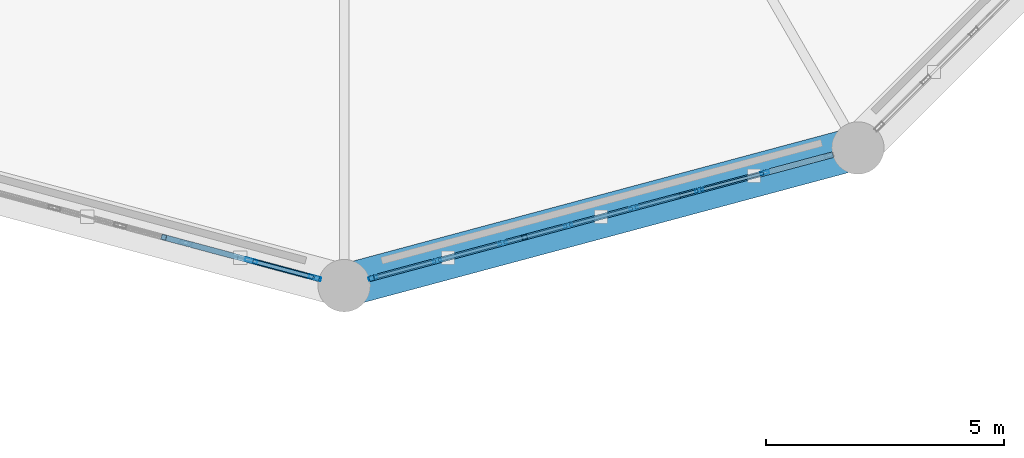
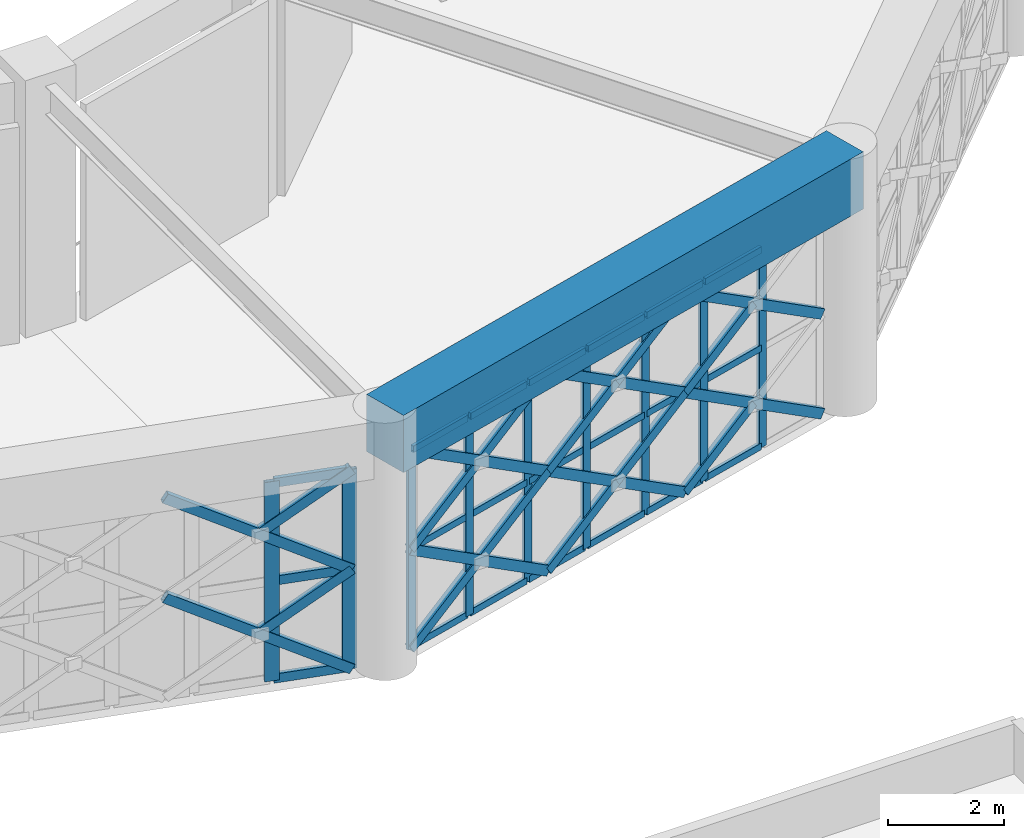
# One storey, part 22 of 72: 50 members, 1 beam, 2 elements without a shape of their own.
"""IFC4 building model written with IfcOpenShell, lengths in metres."""

from ifc_helpers import new_model, si_unit, direction, frame, origin, origin_2d, place, context, subcontext, project, spatial, rectangle, hollow_rectangle, extrude, material, material_profile, profile_set, type_object, element, aggregate, save


model = new_model("IFC4")

# Units and contexts
model_context = context("Model", 3, precision=1e-05, world=origin(), true_north=direction((0.0, 1.0)))
body_context = subcontext(model_context, "Body", "Model", "MODEL_VIEW")
ifc_project = project(units=[si_unit("LENGTHUNIT", "METRE"), si_unit("AREAUNIT", "SQUARE_METRE"), si_unit("VOLUMEUNIT", "CUBIC_METRE"), si_unit("PLANEANGLEUNIT", "RADIAN"), si_unit("MASSUNIT", "GRAM", prefix="KILO")], contexts=[model_context])

# Site, building, storey
site_placement = place(None, origin())
site = spatial("IfcSite", under=ifc_project, at=site_placement, CompositionType="ELEMENT")
building_placement = place(site_placement, origin())
building = spatial("IfcBuilding", under=site, at=building_placement, Name="Haizhuo Lancet Aquarium", CompositionType="ELEMENT")
storey_placement = place(building_placement, frame((0.0, 0.0, 21.60009765625)))
storey = spatial("IfcBuildingStorey", under=building, at=storey_placement, Name="L04", CompositionType="ELEMENT", Elevation=21.60009765625)

# Beam
ifc_material_1 = material(Name="Concrete C50/60", Category="concrete")
ifc_material_profile_1 = material_profile(ifc_material_1, rectangle(XDim=0.89990234375, YDim=1.199951171875, at=origin_2d()), Name="RC-RB 900x1200")
ifc_profile_set_1 = profile_set([ifc_material_profile_1], Name="Concrete C50/60")
beam_type = type_object("IfcBeamType", Name="BM-RB-900x1200", PredefinedType="USERDEFINED", material=ifc_profile_set_1)
beam_placement = place(storey_placement, frame((0.0, -21.60009765625, 4.7998046875), z_axis=(0.965921832664, 0.258833949056, 0.0), x_axis=(-0.258833949056, 0.965921832664, 0.0)))
element("IfcBeam", 1, at=beam_placement, inside=storey, type_object=beam_type, Name="Ocean Hall dome tension ring beam RB-1 seg 10", ObjectType="RING BEAM", PredefinedType="USERDEFINED", context=body_context, shape_type="SweptSolid", body=[
    extrude(rectangle(XDim=0.89990234375, YDim=1.199951171875, at=origin_2d()), origin(), (0.0, 0.0, 1.0), 11.18115234375),
])

# Curtain wall, members
ifc_material_2 = material(Name="Aluminium 6063-T6", Category="aluminium")
curtain_wall_type = type_object("IfcCurtainWallType", Name="CWO-9990x4180", PredefinedType="NOTDEFINED", material=ifc_material_2)
curtain_wall_1_placement = place(storey_placement, origin())
curtain_wall_1 = element("IfcCurtainWall", 2, at=curtain_wall_1_placement, inside=storey, type_object=curtain_wall_type, Name="L04 curtain wall CW-V1-L04-10", PredefinedType="NOTDEFINED")
ifc_material_profile_2 = material_profile(ifc_material_2, hollow_rectangle(XDim=0.06494140625, YDim=0.179931640625, WallThickness=0.00390625, at=origin_2d()), Name="ALU-M 65x180x4")
ifc_profile_set_2 = profile_set([ifc_material_profile_2], Name="Aluminium 6063-T6")
member_type_1 = type_object("IfcMemberType", Name="CW-MUL-1", PredefinedType="MULLION", material=ifc_profile_set_2)
member_1_placement = place(storey_placement, frame((8.845947265625, -19.22900390625, 0.0), z_axis=(0.0, 0.0, 1.0), x_axis=(0.258852762117, -0.965916791212, 0.0)))
member_1 = element("IfcMember", 3, at=member_1_placement, type_object=member_type_1, Name="CWO-99x41 mullion 2", PredefinedType="MULLION", context=body_context, shape_type="SweptSolid", body=[
    extrude(hollow_rectangle(XDim=0.06494140625, YDim=0.179931640625, WallThickness=0.00390625, at=origin_2d()), origin(), (0.0, 0.0, 1.0), 4.184814453125),
])
member_2_placement = place(storey_placement, frame((7.468017578125, -19.59912109375, 0.0), z_axis=(0.0, 0.0, 1.0), x_axis=(0.258852762117, -0.965916791212, 0.0)))
member_2 = element("IfcMember", 4, at=member_2_placement, type_object=member_type_1, Name="CWO-99x41 mullion 3", PredefinedType="MULLION", context=body_context, shape_type="SweptSolid", body=[
    extrude(hollow_rectangle(XDim=0.06494140625, YDim=0.179931640625, WallThickness=0.00390625, at=origin_2d()), origin(), (0.0, 0.0, 1.0), 4.184814453125),
])
member_3_placement = place(storey_placement, frame((6.089111328125, -19.968017578125, 0.0), z_axis=(0.0, 0.0, 1.0), x_axis=(0.258852762117, -0.965916791212, 0.0)))
member_3 = element("IfcMember", 5, at=member_3_placement, type_object=member_type_1, Name="CWO-99x41 mullion 4", PredefinedType="MULLION", context=body_context, shape_type="SweptSolid", body=[
    extrude(hollow_rectangle(XDim=0.06494140625, YDim=0.179931640625, WallThickness=0.00390625, at=origin_2d()), origin(), (0.0, 0.0, 1.0), 4.184814453125),
])
member_4_placement = place(storey_placement, frame((4.7109375, -20.337890625, 0.0), z_axis=(0.0, 0.0, 1.0), x_axis=(0.258852762117, -0.965916791212, 0.0)))
member_4 = element("IfcMember", 6, at=member_4_placement, type_object=member_type_1, Name="CWO-99x41 mullion 5", PredefinedType="MULLION", context=body_context, shape_type="SweptSolid", body=[
    extrude(hollow_rectangle(XDim=0.06494140625, YDim=0.179931640625, WallThickness=0.00390625, at=origin_2d()), origin(), (0.0, 0.0, 1.0), 4.184814453125),
])
member_5_placement = place(storey_placement, frame((3.33203125, -20.70703125, 0.0), z_axis=(0.0, 0.0, 1.0), x_axis=(0.258852762117, -0.965916791212, 0.0)))
member_5 = element("IfcMember", 7, at=member_5_placement, type_object=member_type_1, Name="CWO-99x41 mullion 6", PredefinedType="MULLION", context=body_context, shape_type="SweptSolid", body=[
    extrude(hollow_rectangle(XDim=0.06494140625, YDim=0.179931640625, WallThickness=0.00390625, at=origin_2d()), origin(), (0.0, 0.0, 1.0), 4.184814453125),
])
member_6_placement = place(storey_placement, frame((1.9541015625, -21.076904296875, 0.0), z_axis=(0.0, 0.0, 1.0), x_axis=(0.258852762117, -0.965916791212, 0.0)))
member_6 = element("IfcMember", 8, at=member_6_placement, type_object=member_type_1, Name="CWO-99x41 mullion 7", PredefinedType="MULLION", context=body_context, shape_type="SweptSolid", body=[
    extrude(hollow_rectangle(XDim=0.06494140625, YDim=0.179931640625, WallThickness=0.00390625, at=origin_2d()), origin(), (0.0, 0.0, 1.0), 4.184814453125),
])
member_7_placement = place(storey_placement, frame((0.60595703125, -21.43798828125, 0.0), z_axis=(0.0, 0.0, 1.0), x_axis=(0.258852762117, -0.965916791212, 0.0)))
member_7 = element("IfcMember", 9, at=member_7_placement, type_object=member_type_1, Name="CWO-99x41 mullion 8", PredefinedType="MULLION", context=body_context, shape_type="SweptSolid", body=[
    extrude(hollow_rectangle(XDim=0.06494140625, YDim=0.179931640625, WallThickness=0.00390625, at=origin_2d()), origin(), (0.0, 0.0, 1.0), 4.184814453125),
])

curtain_wall_2_placement = place(storey_placement, origin())
curtain_wall_2 = element("IfcCurtainWall", 10, at=curtain_wall_2_placement, inside=storey, type_object=curtain_wall_type, Name="L04 curtain wall CW-V1-L04-09", PredefinedType="NOTDEFINED")
ifc_material_profile_3 = material_profile(ifc_material_2, hollow_rectangle(XDim=0.080078125, YDim=0.260009765625, WallThickness=0.0048828125, at=origin_2d()), Name="ALU-M 80x260x5")
ifc_profile_set_3 = profile_set([ifc_material_profile_3], Name="Aluminium 6063-T6")
member_type_2 = type_object("IfcMemberType", Name="CW-MUL-3", PredefinedType="MULLION", material=ifc_profile_set_3)
member_8_placement = place(storey_placement, frame((-0.614013671875, -21.43603515625, 0.0), z_axis=(0.0, 0.0, 1.0), x_axis=(-0.258852762117, -0.965916791212, 0.0)))
member_8 = element("IfcMember", 11, at=member_8_placement, type_object=member_type_2, Name="CWO-99x41 mullion 1", PredefinedType="MULLION", context=body_context, shape_type="SweptSolid", body=[
    extrude(hollow_rectangle(XDim=0.080078125, YDim=0.260009765625, WallThickness=0.0048828125, at=origin_2d()), origin(), (0.0, 0.0, 1.0), 4.184814453125),
])
member_9_placement = place(storey_placement, frame((-1.9541015625, -21.076904296875, 0.0), z_axis=(0.0, 0.0, 1.0), x_axis=(-0.258852762117, -0.965916791212, 0.0)))
member_9 = element("IfcMember", 12, at=member_9_placement, type_object=member_type_2, Name="CWO-99x41 mullion 2", PredefinedType="MULLION", context=body_context, shape_type="SweptSolid", body=[
    extrude(hollow_rectangle(XDim=0.080078125, YDim=0.260009765625, WallThickness=0.0048828125, at=origin_2d()), origin(), (0.0, 0.0, 1.0), 4.184814453125),
])

# Member
ifc_material_profile_4 = material_profile(ifc_material_2, hollow_rectangle(XDim=0.06494140625, YDim=0.139892578125, WallThickness=0.00390625, at=origin_2d()), Name="ALU-T 65x140x4")
ifc_profile_set_4 = profile_set([ifc_material_profile_4], Name="Aluminium 6063-T6")
member_type_3 = type_object("IfcMemberType", Name="CW-TRN-1", PredefinedType="NOTDEFINED", material=ifc_profile_set_4)
member_10_placement = place(storey_placement, frame((8.81494140625, -19.238037109375, 0.032958984375), z_axis=(-0.966026395076, -0.258443425176, 0.0), x_axis=(0.258443425176, -0.966026395076, 0.0)))
member_10 = element("IfcMember", 13, at=member_10_placement, type_object=member_type_3, Name="CWO-99x41 transom 2.1", ObjectType="TRANSOM", PredefinedType="USERDEFINED", context=body_context, shape_type="SweptSolid", body=[
    extrude(hollow_rectangle(XDim=0.06494140625, YDim=0.139892578125, WallThickness=0.00390625, at=origin_2d()), origin(), (0.0, 0.0, 1.0), 1.3623046875),
])

member_11_placement = place(storey_placement, frame((8.81494140625, -19.238037109375, 2.093017578125), z_axis=(-0.966026395076, -0.258443425176, 0.0), x_axis=(0.258443425176, -0.966026395076, 0.0)))
member_11 = element("IfcMember", 14, at=member_11_placement, type_object=member_type_3, Name="CWO-99x41 transom 2.2", ObjectType="TRANSOM", PredefinedType="USERDEFINED", context=body_context, shape_type="SweptSolid", body=[
    extrude(hollow_rectangle(XDim=0.06494140625, YDim=0.139892578125, WallThickness=0.00390625, at=origin_2d()), origin(), (0.0, 0.0, 1.0), 1.3623046875),
])

member_12_placement = place(storey_placement, frame((8.81494140625, -19.238037109375, 4.15283203125), z_axis=(-0.966026395076, -0.258443425176, 0.0), x_axis=(0.258443425176, -0.966026395076, 0.0)))
member_12 = element("IfcMember", 15, at=member_12_placement, type_object=member_type_3, Name="CWO-99x41 transom 2.3", ObjectType="TRANSOM", PredefinedType="USERDEFINED", context=body_context, shape_type="SweptSolid", body=[
    extrude(hollow_rectangle(XDim=0.06494140625, YDim=0.139892578125, WallThickness=0.00390625, at=origin_2d()), origin(), (0.0, 0.0, 1.0), 1.3623046875),
])

member_13_placement = place(storey_placement, frame((7.43603515625, -19.60693359375, 0.032958984375), z_axis=(-0.965799039157, -0.259291758378, 0.0), x_axis=(0.259291758378, -0.965799039157, 0.0)))
member_13 = element("IfcMember", 16, at=member_13_placement, type_object=member_type_3, Name="CWO-99x41 transom 3.1", ObjectType="TRANSOM", PredefinedType="USERDEFINED", context=body_context, shape_type="SweptSolid", body=[
    extrude(hollow_rectangle(XDim=0.06494140625, YDim=0.139892578125, WallThickness=0.00390625, at=origin_2d()), origin(), (0.0, 0.0, 1.0), 1.361572265625),
])

member_14_placement = place(storey_placement, frame((7.43603515625, -19.60693359375, 2.093017578125), z_axis=(-0.965799039157, -0.259291758378, 0.0), x_axis=(0.259291758378, -0.965799039157, 0.0)))
member_14 = element("IfcMember", 17, at=member_14_placement, type_object=member_type_3, Name="CWO-99x41 transom 3.2", ObjectType="TRANSOM", PredefinedType="USERDEFINED", context=body_context, shape_type="SweptSolid", body=[
    extrude(hollow_rectangle(XDim=0.06494140625, YDim=0.139892578125, WallThickness=0.00390625, at=origin_2d()), origin(), (0.0, 0.0, 1.0), 1.361572265625),
])

member_15_placement = place(storey_placement, frame((7.43603515625, -19.60693359375, 4.15283203125), z_axis=(-0.965799039157, -0.259291758378, 0.0), x_axis=(0.259291758378, -0.965799039157, 0.0)))
member_15 = element("IfcMember", 18, at=member_15_placement, type_object=member_type_3, Name="CWO-99x41 transom 3.3", ObjectType="TRANSOM", PredefinedType="USERDEFINED", context=body_context, shape_type="SweptSolid", body=[
    extrude(hollow_rectangle(XDim=0.06494140625, YDim=0.139892578125, WallThickness=0.00390625, at=origin_2d()), origin(), (0.0, 0.0, 1.0), 1.361572265625),
])

member_16_placement = place(storey_placement, frame((6.05810546875, -19.97705078125, 0.032958984375), z_axis=(-0.966038362989, -0.258398686594, 0.0), x_axis=(0.258398686594, -0.966038362989, 0.0)))
member_16 = element("IfcMember", 19, at=member_16_placement, type_object=member_type_3, Name="CWO-99x41 transom 4.1", ObjectType="TRANSOM", PredefinedType="USERDEFINED", context=body_context, shape_type="SweptSolid", body=[
    extrude(hollow_rectangle(XDim=0.06494140625, YDim=0.139892578125, WallThickness=0.00390625, at=origin_2d()), origin(), (0.0, 0.0, 1.0), 1.362548828125),
])

member_17_placement = place(storey_placement, frame((6.05810546875, -19.97705078125, 2.093017578125), z_axis=(-0.966038362989, -0.258398686594, 0.0), x_axis=(0.258398686594, -0.966038362989, 0.0)))
member_17 = element("IfcMember", 20, at=member_17_placement, type_object=member_type_3, Name="CWO-99x41 transom 4.2", ObjectType="TRANSOM", PredefinedType="USERDEFINED", context=body_context, shape_type="SweptSolid", body=[
    extrude(hollow_rectangle(XDim=0.06494140625, YDim=0.139892578125, WallThickness=0.00390625, at=origin_2d()), origin(), (0.0, 0.0, 1.0), 1.362548828125),
])

member_18_placement = place(storey_placement, frame((6.05810546875, -19.97705078125, 4.15283203125), z_axis=(-0.966038362989, -0.258398686594, 0.0), x_axis=(0.258398686594, -0.966038362989, 0.0)))
member_18 = element("IfcMember", 21, at=member_18_placement, type_object=member_type_3, Name="CWO-99x41 transom 4.3", ObjectType="TRANSOM", PredefinedType="USERDEFINED", context=body_context, shape_type="SweptSolid", body=[
    extrude(hollow_rectangle(XDim=0.06494140625, YDim=0.139892578125, WallThickness=0.00390625, at=origin_2d()), origin(), (0.0, 0.0, 1.0), 1.362548828125),
])

member_19_placement = place(storey_placement, frame((4.678955078125, -20.345947265625, 0.032958984375), z_axis=(-0.965799039157, -0.259291758378, 0.0), x_axis=(0.259291758378, -0.965799039157, 0.0)))
member_19 = element("IfcMember", 22, at=member_19_placement, type_object=member_type_3, Name="CWO-99x41 transom 5.1", ObjectType="TRANSOM", PredefinedType="USERDEFINED", context=body_context, shape_type="SweptSolid", body=[
    extrude(hollow_rectangle(XDim=0.06494140625, YDim=0.139892578125, WallThickness=0.00390625, at=origin_2d()), origin(), (0.0, 0.0, 1.0), 1.361572265625),
])

member_20_placement = place(storey_placement, frame((4.678955078125, -20.345947265625, 2.093017578125), z_axis=(-0.965799039157, -0.259291758378, 0.0), x_axis=(0.259291758378, -0.965799039157, 0.0)))
member_20 = element("IfcMember", 23, at=member_20_placement, type_object=member_type_3, Name="CWO-99x41 transom 5.2", ObjectType="TRANSOM", PredefinedType="USERDEFINED", context=body_context, shape_type="SweptSolid", body=[
    extrude(hollow_rectangle(XDim=0.06494140625, YDim=0.139892578125, WallThickness=0.00390625, at=origin_2d()), origin(), (0.0, 0.0, 1.0), 1.361572265625),
])

member_21_placement = place(storey_placement, frame((4.678955078125, -20.345947265625, 4.15283203125), z_axis=(-0.965799039157, -0.259291758378, 0.0), x_axis=(0.259291758378, -0.965799039157, 0.0)))
member_21 = element("IfcMember", 24, at=member_21_placement, type_object=member_type_3, Name="CWO-99x41 transom 5.3", ObjectType="TRANSOM", PredefinedType="USERDEFINED", context=body_context, shape_type="SweptSolid", body=[
    extrude(hollow_rectangle(XDim=0.06494140625, YDim=0.139892578125, WallThickness=0.00390625, at=origin_2d()), origin(), (0.0, 0.0, 1.0), 1.361572265625),
])

member_22_placement = place(storey_placement, frame((3.301025390625, -20.716064453125, 0.032958984375), z_axis=(-0.966026395076, -0.258443425176, 0.0), x_axis=(0.258443425176, -0.966026395076, 0.0)))
member_22 = element("IfcMember", 25, at=member_22_placement, type_object=member_type_3, Name="CWO-99x41 transom 6.1", ObjectType="TRANSOM", PredefinedType="USERDEFINED", context=body_context, shape_type="SweptSolid", body=[
    extrude(hollow_rectangle(XDim=0.06494140625, YDim=0.139892578125, WallThickness=0.00390625, at=origin_2d()), origin(), (0.0, 0.0, 1.0), 1.3623046875),
])

member_23_placement = place(storey_placement, frame((3.301025390625, -20.716064453125, 2.093017578125), z_axis=(-0.966026395076, -0.258443425176, 0.0), x_axis=(0.258443425176, -0.966026395076, 0.0)))
member_23 = element("IfcMember", 26, at=member_23_placement, type_object=member_type_3, Name="CWO-99x41 transom 6.2", ObjectType="TRANSOM", PredefinedType="USERDEFINED", context=body_context, shape_type="SweptSolid", body=[
    extrude(hollow_rectangle(XDim=0.06494140625, YDim=0.139892578125, WallThickness=0.00390625, at=origin_2d()), origin(), (0.0, 0.0, 1.0), 1.3623046875),
])

member_24_placement = place(storey_placement, frame((3.301025390625, -20.716064453125, 4.15283203125), z_axis=(-0.966026395076, -0.258443425176, 0.0), x_axis=(0.258443425176, -0.966026395076, 0.0)))
member_24 = element("IfcMember", 27, at=member_24_placement, type_object=member_type_3, Name="CWO-99x41 transom 6.3", ObjectType="TRANSOM", PredefinedType="USERDEFINED", context=body_context, shape_type="SweptSolid", body=[
    extrude(hollow_rectangle(XDim=0.06494140625, YDim=0.139892578125, WallThickness=0.00390625, at=origin_2d()), origin(), (0.0, 0.0, 1.0), 1.3623046875),
])

member_25_placement = place(storey_placement, frame((1.922119140625, -21.0849609375, 0.032958984375), z_axis=(-0.965944773121, -0.258748324207, 0.0), x_axis=(0.258748324207, -0.965944773121, 0.0)))
member_25 = element("IfcMember", 28, at=member_25_placement, type_object=member_type_3, Name="CWO-99x41 transom 7.1", ObjectType="TRANSOM", PredefinedType="USERDEFINED", context=body_context, shape_type="SweptSolid", body=[
    extrude(hollow_rectangle(XDim=0.06494140625, YDim=0.139892578125, WallThickness=0.00390625, at=origin_2d()), origin(), (0.0, 0.0, 1.0), 1.329345703125),
])

member_26_placement = place(storey_placement, frame((1.922119140625, -21.0849609375, 2.093017578125), z_axis=(-0.965944773121, -0.258748324207, 0.0), x_axis=(0.258748324207, -0.965944773121, 0.0)))
member_26 = element("IfcMember", 29, at=member_26_placement, type_object=member_type_3, Name="CWO-99x41 transom 7.2", ObjectType="TRANSOM", PredefinedType="USERDEFINED", context=body_context, shape_type="SweptSolid", body=[
    extrude(hollow_rectangle(XDim=0.06494140625, YDim=0.139892578125, WallThickness=0.00390625, at=origin_2d()), origin(), (0.0, 0.0, 1.0), 1.329345703125),
])

member_27_placement = place(storey_placement, frame((1.922119140625, -21.0849609375, 4.15283203125), z_axis=(-0.965944773121, -0.258748324207, 0.0), x_axis=(0.258748324207, -0.965944773121, 0.0)))
member_27 = element("IfcMember", 30, at=member_27_placement, type_object=member_type_3, Name="CWO-99x41 transom 7.3", ObjectType="TRANSOM", PredefinedType="USERDEFINED", context=body_context, shape_type="SweptSolid", body=[
    extrude(hollow_rectangle(XDim=0.06494140625, YDim=0.139892578125, WallThickness=0.00390625, at=origin_2d()), origin(), (0.0, 0.0, 1.0), 1.329345703125),
])

aggregate(curtain_wall_1, [member_1, member_2, member_3, member_4, member_5, member_6, member_7, member_10, member_11, member_12, member_13, member_14, member_15, member_16, member_17, member_18, member_19, member_20, member_21, member_22, member_23, member_24, member_25, member_26, member_27])

ifc_material_profile_5 = material_profile(ifc_material_2, hollow_rectangle(XDim=0.080078125, YDim=0.18994140625, WallThickness=0.0048828125, at=origin_2d()), Name="ALU-T 80x190x5")
ifc_profile_set_5 = profile_set([ifc_material_profile_5], Name="Aluminium 6063-T6")
member_type_4 = type_object("IfcMemberType", Name="CW-TRN-3", PredefinedType="NOTDEFINED", material=ifc_profile_set_5)
member_28_placement = place(storey_placement, frame((-0.652099609375, -21.425048828125, 0.039794921875), z_axis=(-0.965977213939, 0.258627187571, 0.0), x_axis=(-0.258627187571, -0.965977213939, 0.0)))
member_28 = element("IfcMember", 31, at=member_28_placement, type_object=member_type_4, Name="CWO-99x41 transom 1.1", ObjectType="TRANSOM", PredefinedType="USERDEFINED", context=body_context, shape_type="SweptSolid", body=[
    extrude(hollow_rectangle(XDim=0.080078125, YDim=0.18994140625, WallThickness=0.0048828125, at=origin_2d()), origin(), (0.0, 0.0, 1.0), 1.307373046875),
])

member_29_placement = place(storey_placement, frame((-0.652099609375, -21.425048828125, 2.093017578125), z_axis=(-0.965977213939, 0.258627187571, 0.0), x_axis=(-0.258627187571, -0.965977213939, 0.0)))
member_29 = element("IfcMember", 32, at=member_29_placement, type_object=member_type_4, Name="CWO-99x41 transom 1.2", ObjectType="TRANSOM", PredefinedType="USERDEFINED", context=body_context, shape_type="SweptSolid", body=[
    extrude(hollow_rectangle(XDim=0.080078125, YDim=0.18994140625, WallThickness=0.0048828125, at=origin_2d()), origin(), (0.0, 0.0, 1.0), 1.307373046875),
])

member_30_placement = place(storey_placement, frame((-0.652099609375, -21.425048828125, 4.14501953125), z_axis=(-0.965977213939, 0.258627187571, 0.0), x_axis=(-0.258627187571, -0.965977213939, 0.0)))
member_30 = element("IfcMember", 33, at=member_30_placement, type_object=member_type_4, Name="CWO-99x41 transom 1.3", ObjectType="TRANSOM", PredefinedType="USERDEFINED", context=body_context, shape_type="SweptSolid", body=[
    extrude(hollow_rectangle(XDim=0.080078125, YDim=0.18994140625, WallThickness=0.0048828125, at=origin_2d()), origin(), (0.0, 0.0, 1.0), 1.307373046875),
])

aggregate(curtain_wall_2, [member_8, member_9, member_28, member_29, member_30])

# Members
ifc_material_3 = material(Name="Steel S355", Category="steel")
ifc_material_profile_6 = material_profile(ifc_material_3, hollow_rectangle(XDim=0.1201171875, YDim=0.199951171875, WallThickness=0.008056640625, at=origin_2d()), Name="RHS 120x200x8")
ifc_profile_set_6 = profile_set([ifc_material_profile_6], Name="Steel S355")
member_type_5 = type_object("IfcMemberType", Name="MEM-LB-RHS120x200", PredefinedType="BRACE", material=ifc_profile_set_6)
member_31_placement = place(storey_placement, frame((-0.574951171875, -21.446044921875, 0.0), z_axis=(-0.8178359432, 0.219152972258, 0.532086783111), x_axis=(-0.258835014285, -0.965921547218, 0.0)))
element("IfcMember", 34, at=member_31_placement, inside=storey, type_object=member_type_5, Name="Gothic lancet continuous diagonal brace CW-V1-L04-09 1A", PredefinedType="BRACE", context=body_context, shape_type="SweptSolid", body=[
    extrude(hollow_rectangle(XDim=0.1201171875, YDim=0.199951171875, WallThickness=0.008056640625, at=origin_2d()), origin(), (0.0, 0.0, 1.0), 3.93359375),
])
member_32_placement = place(storey_placement, frame((-2.18310546875, -21.014892578125, 1.046875), z_axis=(0.817844181547, -0.219267166329, 0.53202707119), x_axis=(0.258958409476, 0.965888472942, 0.0)))
element("IfcMember", 35, at=member_32_placement, inside=storey, type_object=member_type_5, Name="Gothic lancet split diagonal brace CW-V1-L04-09 1B2", PredefinedType="BRACE", context=body_context, shape_type="SweptSolid", body=[
    extrude(hollow_rectangle(XDim=0.1201171875, YDim=0.199951171875, WallThickness=0.008056640625, at=origin_2d()), origin(), (0.0, 0.0, 1.0), 1.96630859375),
])
member_33_placement = place(storey_placement, frame((-0.574951171875, -21.446044921875, 2.093017578125), z_axis=(-0.817970979087, 0.219189157407, 0.531864259605), x_axis=(-0.258835014285, -0.965921547218, 0.0)))
element("IfcMember", 36, at=member_33_placement, inside=storey, type_object=member_type_5, Name="Gothic lancet continuous diagonal brace CW-V1-L04-09 2A", PredefinedType="BRACE", context=body_context, shape_type="SweptSolid", body=[
    extrude(hollow_rectangle(XDim=0.1201171875, YDim=0.199951171875, WallThickness=0.008056640625, at=origin_2d()), origin(), (0.0, 0.0, 1.0), 3.932861328125),
])
member_34_placement = place(storey_placement, frame((-2.18310546875, -21.014892578125, 3.138916015625), z_axis=(0.817898204654, -0.219281650132, 0.53193804596), x_axis=(0.258958409476, 0.965888472942, 0.0)))
element("IfcMember", 37, at=member_34_placement, inside=storey, type_object=member_type_5, Name="Gothic lancet split diagonal brace CW-V1-L04-09 2B2", PredefinedType="BRACE", context=body_context, shape_type="SweptSolid", body=[
    extrude(hollow_rectangle(XDim=0.1201171875, YDim=0.199951171875, WallThickness=0.008056640625, at=origin_2d()), origin(), (0.0, 0.0, 1.0), 1.96630859375),
])
member_35_placement = place(storey_placement, frame((10.22509765625, -18.860107421875, 0.0), z_axis=(-0.817847065908, -0.219093886519, 0.532094019582), x_axis=(0.258766619754, -0.965939872094, 0.0)))
element("IfcMember", 38, at=member_35_placement, inside=storey, type_object=member_type_5, Name="Gothic lancet continuous diagonal brace CW-V1-L04-10 1A", PredefinedType="BRACE", context=body_context, shape_type="SweptSolid", body=[
    extrude(hollow_rectangle(XDim=0.1201171875, YDim=0.199951171875, WallThickness=0.008056640625, at=origin_2d()), origin(), (0.0, 0.0, 1.0), 3.93359375),
])
member_36_placement = place(storey_placement, frame((7.008056640625, -19.721923828125, 0.0), z_axis=(0.817827695142, 0.21903882882, 0.53214645778), x_axis=(-0.258711662602, 0.965954592946, 0.0)))
element("IfcMember", 39, at=member_36_placement, inside=storey, type_object=member_type_5, Name="Gothic lancet split diagonal brace CW-V1-L04-10 1B1", PredefinedType="BRACE", context=body_context, shape_type="SweptSolid", body=[
    extrude(hollow_rectangle(XDim=0.1201171875, YDim=0.199951171875, WallThickness=0.008056640625, at=origin_2d()), origin(), (0.0, 0.0, 1.0), 1.96728515625),
])
member_37_placement = place(storey_placement, frame((10.22509765625, -18.860107421875, 2.093017578125), z_axis=(-0.817982107307, -0.219130062897, 0.531871495439), x_axis=(0.258766619754, -0.965939872094, 0.0)))
element("IfcMember", 40, at=member_37_placement, inside=storey, type_object=member_type_5, Name="Gothic lancet continuous diagonal brace CW-V1-L04-10 2A", PredefinedType="BRACE", context=body_context, shape_type="SweptSolid", body=[
    extrude(hollow_rectangle(XDim=0.1201171875, YDim=0.199951171875, WallThickness=0.008056640625, at=origin_2d()), origin(), (0.0, 0.0, 1.0), 3.932861328125),
])
member_38_placement = place(storey_placement, frame((7.008056640625, -19.721923828125, 2.093017578125), z_axis=(0.818043717557, 0.219096686113, 0.531790483462), x_axis=(-0.258711662602, 0.965954592946, 0.0)))
element("IfcMember", 41, at=member_38_placement, inside=storey, type_object=member_type_5, Name="Gothic lancet split diagonal brace CW-V1-L04-10 2B1", PredefinedType="BRACE", context=body_context, shape_type="SweptSolid", body=[
    extrude(hollow_rectangle(XDim=0.1201171875, YDim=0.199951171875, WallThickness=0.008056640625, at=origin_2d()), origin(), (0.0, 0.0, 1.0), 1.966796875),
])
member_39_placement = place(storey_placement, frame((7.008056640625, -19.721923828125, 0.0), z_axis=(-0.817753707708, -0.219197475284, 0.532194833081), x_axis=(0.258908342106, -0.965901894805, 0.0)))
element("IfcMember", 42, at=member_39_placement, inside=storey, type_object=member_type_5, Name="Gothic lancet continuous diagonal brace CW-V1-L04-10 3A", PredefinedType="BRACE", context=body_context, shape_type="SweptSolid", body=[
    extrude(hollow_rectangle(XDim=0.1201171875, YDim=0.199951171875, WallThickness=0.008056640625, at=origin_2d()), origin(), (0.0, 0.0, 1.0), 3.932861328125),
])
member_40_placement = place(storey_placement, frame((3.7919921875, -20.583984375, 0.0), z_axis=(0.817663206478, 0.219127780054, 0.5323625614), x_axis=(-0.258858265046, 0.965915316483, 0.0)))
element("IfcMember", 43, at=member_40_placement, inside=storey, type_object=member_type_5, Name="Gothic lancet split diagonal brace CW-V1-L04-10 3B1", PredefinedType="BRACE", context=body_context, shape_type="SweptSolid", body=[
    extrude(hollow_rectangle(XDim=0.1201171875, YDim=0.199951171875, WallThickness=0.008056640625, at=origin_2d()), origin(), (0.0, 0.0, 1.0), 1.966552734375),
])
member_41_placement = place(storey_placement, frame((5.39990234375, -20.153076171875, 1.046875), z_axis=(0.817844181547, 0.219267166329, 0.53202707119), x_axis=(-0.258958409476, 0.965888472942, 0.0)))
element("IfcMember", 44, at=member_41_placement, inside=storey, type_object=member_type_5, Name="Gothic lancet split diagonal brace CW-V1-L04-10 3B2", PredefinedType="BRACE", context=body_context, shape_type="SweptSolid", body=[
    extrude(hollow_rectangle(XDim=0.1201171875, YDim=0.199951171875, WallThickness=0.008056640625, at=origin_2d()), origin(), (0.0, 0.0, 1.0), 1.96630859375),
])
member_42_placement = place(storey_placement, frame((7.008056640625, -19.721923828125, 2.093017578125), z_axis=(-0.817888784874, -0.219233682486, 0.531972300069), x_axis=(0.258908342106, -0.965901894805, 0.0)))
element("IfcMember", 45, at=member_42_placement, inside=storey, type_object=member_type_5, Name="Gothic lancet continuous diagonal brace CW-V1-L04-10 4A", PredefinedType="BRACE", context=body_context, shape_type="SweptSolid", body=[
    extrude(hollow_rectangle(XDim=0.1201171875, YDim=0.199951171875, WallThickness=0.008056640625, at=origin_2d()), origin(), (0.0, 0.0, 1.0), 3.93212890625),
])
member_43_placement = place(storey_placement, frame((3.7919921875, -20.583984375, 2.093017578125), z_axis=(0.817879360967, 0.219185707881, 0.532006556693), x_axis=(-0.258858265046, 0.965915316483, 0.0)))
element("IfcMember", 46, at=member_43_placement, inside=storey, type_object=member_type_5, Name="Gothic lancet split diagonal brace CW-V1-L04-10 4B1", PredefinedType="BRACE", context=body_context, shape_type="SweptSolid", body=[
    extrude(hollow_rectangle(XDim=0.1201171875, YDim=0.199951171875, WallThickness=0.008056640625, at=origin_2d()), origin(), (0.0, 0.0, 1.0), 1.966064453125),
])
member_44_placement = place(storey_placement, frame((5.39990234375, -20.153076171875, 3.138916015625), z_axis=(0.817898204654, 0.219281650132, 0.53193804596), x_axis=(-0.258958409476, 0.965888472942, 0.0)))
element("IfcMember", 47, at=member_44_placement, inside=storey, type_object=member_type_5, Name="Gothic lancet split diagonal brace CW-V1-L04-10 4B2", PredefinedType="BRACE", context=body_context, shape_type="SweptSolid", body=[
    extrude(hollow_rectangle(XDim=0.1201171875, YDim=0.199951171875, WallThickness=0.008056640625, at=origin_2d()), origin(), (0.0, 0.0, 1.0), 1.96630859375),
])
member_45_placement = place(storey_placement, frame((3.7919921875, -20.583984375, 0.0), z_axis=(-0.8178359432, -0.219152972258, 0.532086783111), x_axis=(0.258835014285, -0.965921547218, 0.0)))
element("IfcMember", 48, at=member_45_placement, inside=storey, type_object=member_type_5, Name="Gothic lancet continuous diagonal brace CW-V1-L04-10 5A", PredefinedType="BRACE", context=body_context, shape_type="SweptSolid", body=[
    extrude(hollow_rectangle(XDim=0.1201171875, YDim=0.199951171875, WallThickness=0.008056640625, at=origin_2d()), origin(), (0.0, 0.0, 1.0), 3.93359375),
])
for number, where, z_axis, x_axis, name in (
    (49, (0.574951171875, -21.446044921875, 0.0), (0.817682100833, 0.219223711867, 0.532294041046), (-0.258958409476, 0.965888472942, 0.0), "Gothic lancet split diagonal brace CW-V1-L04-10 5B1"),
    (50, (2.18310546875, -21.014892578125, 1.046875), (0.817989714809, 0.219082222555, 0.531879503484), (-0.258711662602, 0.965954592946, 0.0), "Gothic lancet split diagonal brace CW-V1-L04-10 5B2"),
):
    element("IfcMember", number, at=place(storey_placement, frame(where, z_axis=z_axis, x_axis=x_axis)), inside=storey, type_object=member_type_5, Name=name, PredefinedType="BRACE", context=body_context, shape_type="SweptSolid", body=[
        extrude(hollow_rectangle(XDim=0.1201171875, YDim=0.199951171875, WallThickness=0.008056640625, at=origin_2d()), origin(), (0.0, 0.0, 1.0), 1.966796875),
    ])
member_46_placement = place(storey_placement, frame((3.7919921875, -20.583984375, 2.093017578125), z_axis=(-0.817970979087, -0.219189157407, 0.531864259605), x_axis=(0.258835014285, -0.965921547218, 0.0)))
element("IfcMember", 51, at=member_46_placement, inside=storey, type_object=member_type_5, Name="Gothic lancet continuous diagonal brace CW-V1-L04-10 6A", PredefinedType="BRACE", context=body_context, shape_type="SweptSolid", body=[
    extrude(hollow_rectangle(XDim=0.1201171875, YDim=0.199951171875, WallThickness=0.008056640625, at=origin_2d()), origin(), (0.0, 0.0, 1.0), 3.932861328125),
])
member_47_placement = place(storey_placement, frame((0.574951171875, -21.446044921875, 2.093017578125), z_axis=(0.817898204654, 0.219281650132, 0.53193804596), x_axis=(-0.258958409476, 0.965888472942, 0.0)))
element("IfcMember", 52, at=member_47_placement, inside=storey, type_object=member_type_5, Name="Gothic lancet split diagonal brace CW-V1-L04-10 6B1", PredefinedType="BRACE", context=body_context, shape_type="SweptSolid", body=[
    extrude(hollow_rectangle(XDim=0.1201171875, YDim=0.199951171875, WallThickness=0.008056640625, at=origin_2d()), origin(), (0.0, 0.0, 1.0), 1.96630859375),
])
member_48_placement = place(storey_placement, frame((2.18310546875, -21.014892578125, 3.138916015625), z_axis=(0.818043717557, 0.219096686113, 0.531790483462), x_axis=(-0.258711662602, 0.965954592946, 0.0)))
element("IfcMember", 53, at=member_48_placement, inside=storey, type_object=member_type_5, Name="Gothic lancet split diagonal brace CW-V1-L04-10 6B2", PredefinedType="BRACE", context=body_context, shape_type="SweptSolid", body=[
    extrude(hollow_rectangle(XDim=0.1201171875, YDim=0.199951171875, WallThickness=0.008056640625, at=origin_2d()), origin(), (0.0, 0.0, 1.0), 1.966796875),
])

save(model, "model.ifc")
